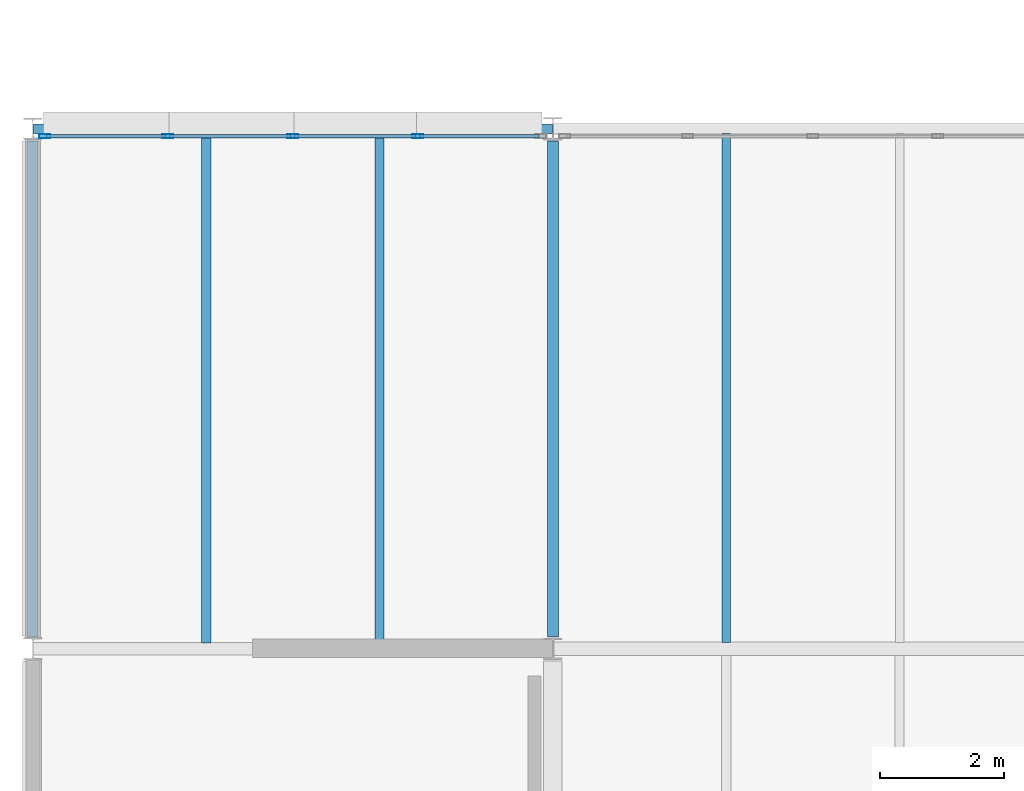
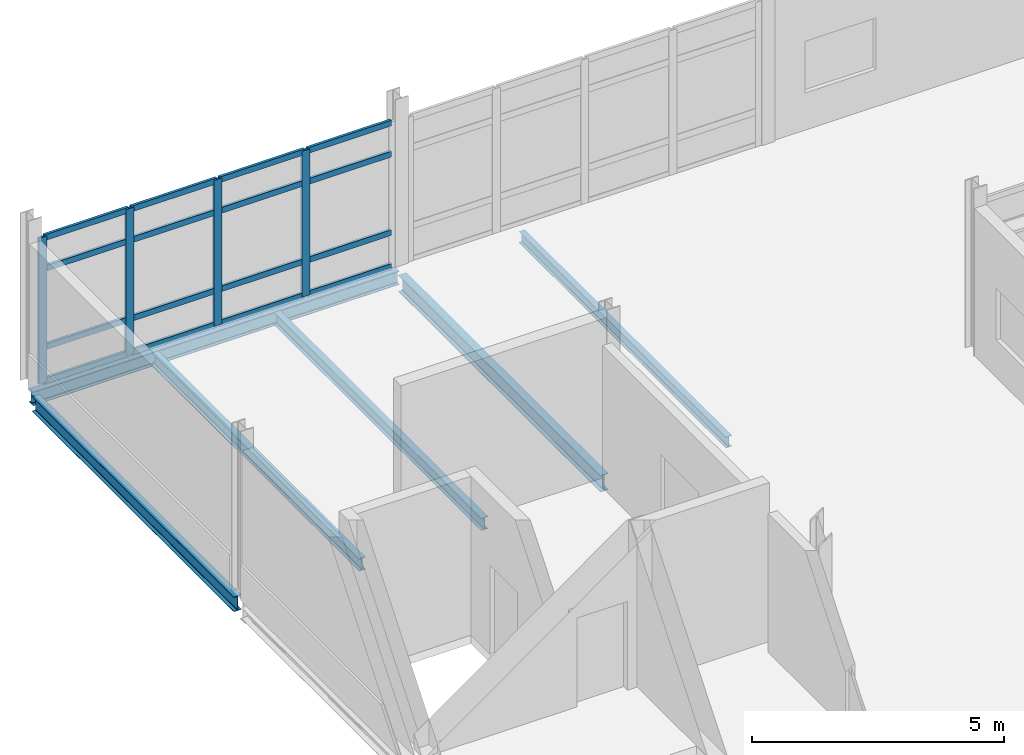
# One storey, part 40 of 131: 20 members, 6 beams, 1 element without a shape of its own.
"""IFC4 building model written with IfcOpenShell, lengths in metres."""

from ifc_helpers import new_model, si_unit, direction, frame, origin, origin_2d, place, context, subcontext, project, spatial, hollow_rectangle, i_section, extrude, material, material_profile, profile_set, type_object, element, aggregate, save


model = new_model("IFC4")

# Units and contexts
model_context = context("Model", 3, precision=1e-05, world=origin(), true_north=direction((0.0, 1.0)))
body_context = subcontext(model_context, "Body", "Model", "MODEL_VIEW")
ifc_project = project(units=[si_unit("LENGTHUNIT", "METRE"), si_unit("AREAUNIT", "SQUARE_METRE"), si_unit("VOLUMEUNIT", "CUBIC_METRE"), si_unit("PLANEANGLEUNIT", "RADIAN"), si_unit("MASSUNIT", "GRAM", prefix="KILO")], contexts=[model_context])

# Site, building, storey
site_placement = place(None, origin())
site = spatial("IfcSite", under=ifc_project, at=site_placement, CompositionType="ELEMENT")
building_placement = place(site_placement, origin())
building = spatial("IfcBuilding", under=site, at=building_placement, Name="Mersafa Astral City Hall", CompositionType="ELEMENT")
storey_placement = place(building_placement, frame((0.0, 0.0, 13.949951171875)))
storey = spatial("IfcBuildingStorey", under=building, at=storey_placement, Name="L03", CompositionType="ELEMENT", Elevation=13.949951171875)

# Curtain wall, members
ifc_material_1 = material(Name="Anodised bronze aluminium framing", Category="aluminium")
curtain_wall_type = type_object("IfcCurtainWallType", Name="ENV-CW-6", PredefinedType="USERDEFINED", material=ifc_material_1)
curtain_wall_placement = place(storey_placement, origin())
curtain_wall = element("IfcCurtainWall", 1, at=curtain_wall_placement, inside=storey, type_object=curtain_wall_type, Name="L03 Unitised solar curtain wall 173", ObjectType="UNITISED CURTAIN WALL", PredefinedType="USERDEFINED")
ifc_material_profile_1 = material_profile(ifc_material_1, hollow_rectangle(XDim=0.06005859375, YDim=0.179931640625, WallThickness=0.00390625, at=origin_2d()), Name="RHS 60x180x4")
ifc_profile_set_1 = profile_set([ifc_material_profile_1], Name="Anodised bronze aluminium framing")
member_type_1 = type_object("IfcMemberType", Name="ENV-CW-MUL-1", PredefinedType="MULLION", material=ifc_profile_set_1)
member_1_placement = place(storey_placement, frame((14.618896484375, 100.679931640625, -0.001953125), z_axis=(0.0, 0.0, 1.0), x_axis=(0.0, -1.0, 0.0)))
member_1 = element("IfcMember", 2, at=member_1_placement, type_object=member_type_1, Name="CW-6 mullion 2", PredefinedType="MULLION", context=body_context, shape_type="SweptSolid", body=[
    extrude(hollow_rectangle(XDim=0.06005859375, YDim=0.179931640625, WallThickness=0.00390625, at=origin_2d()), origin(), (0.0, 0.0, 1.0), 3.533935546875),
])
member_2_placement = place(storey_placement, frame((12.60009765625, 100.679931640625, -0.001953125), z_axis=(0.0, 0.0, 1.0), x_axis=(0.0, -1.0, 0.0)))
member_2 = element("IfcMember", 3, at=member_2_placement, type_object=member_type_1, Name="CW-6 mullion 3", PredefinedType="MULLION", context=body_context, shape_type="SweptSolid", body=[
    extrude(hollow_rectangle(XDim=0.06005859375, YDim=0.179931640625, WallThickness=0.00390625, at=origin_2d()), origin(), (0.0, 0.0, 1.0), 3.533935546875),
])
member_3_placement = place(storey_placement, frame((10.5810546875, 100.679931640625, -0.001953125), z_axis=(0.0, 0.0, 1.0), x_axis=(0.0, -1.0, 0.0)))
member_3 = element("IfcMember", 4, at=member_3_placement, type_object=member_type_1, Name="CW-6 mullion 4", PredefinedType="MULLION", context=body_context, shape_type="SweptSolid", body=[
    extrude(hollow_rectangle(XDim=0.06005859375, YDim=0.179931640625, WallThickness=0.00390625, at=origin_2d()), origin(), (0.0, 0.0, 1.0), 3.533935546875),
])
member_4_placement = place(storey_placement, frame((8.592041015625, 100.679931640625, -0.001953125), z_axis=(0.0, 0.0, 1.0), x_axis=(0.0, -1.0, 0.0)))
member_4 = element("IfcMember", 5, at=member_4_placement, type_object=member_type_1, Name="CW-6 mullion 5", PredefinedType="MULLION", context=body_context, shape_type="SweptSolid", body=[
    extrude(hollow_rectangle(XDim=0.06005859375, YDim=0.179931640625, WallThickness=0.00390625, at=origin_2d()), origin(), (0.0, 0.0, 1.0), 3.533935546875),
])
ifc_material_profile_2 = material_profile(ifc_material_1, hollow_rectangle(XDim=0.06005859375, YDim=0.139892578125, WallThickness=0.00390625, at=origin_2d()), Name="RHS 60x140x4")
ifc_profile_set_2 = profile_set([ifc_material_profile_2], Name="Anodised bronze aluminium framing")
member_type_2 = type_object("IfcMemberType", Name="ENV-CW-TRN-1", PredefinedType="USERDEFINED", material=ifc_profile_set_2)
member_5_placement = place(storey_placement, frame((16.577880859375, 100.679931640625, 0.028076171875), z_axis=(-1.0, 0.0, 0.0), x_axis=(0.0, -1.0, 0.0)))
member_5 = element("IfcMember", 6, at=member_5_placement, type_object=member_type_2, Name="CW-6 transom 1.1", ObjectType="TRANSOM", PredefinedType="USERDEFINED", context=body_context, shape_type="SweptSolid", body=[
    extrude(hollow_rectangle(XDim=0.06005859375, YDim=0.139892578125, WallThickness=0.00390625, at=origin_2d()), origin(), (0.0, 0.0, 1.0), 1.928955078125),
])
member_6_placement = place(storey_placement, frame((16.577880859375, 100.679931640625, 0.85009765625), z_axis=(-1.0, 0.0, 0.0), x_axis=(0.0, -1.0, 0.0)))
member_6 = element("IfcMember", 7, at=member_6_placement, type_object=member_type_2, Name="CW-6 transom 1.2", ObjectType="TRANSOM", PredefinedType="USERDEFINED", context=body_context, shape_type="SweptSolid", body=[
    extrude(hollow_rectangle(XDim=0.06005859375, YDim=0.139892578125, WallThickness=0.00390625, at=origin_2d()), origin(), (0.0, 0.0, 1.0), 1.928955078125),
])
member_7_placement = place(storey_placement, frame((16.577880859375, 100.679931640625, 2.75), z_axis=(-1.0, 0.0, 0.0), x_axis=(0.0, -1.0, 0.0)))
member_7 = element("IfcMember", 8, at=member_7_placement, type_object=member_type_2, Name="CW-6 transom 1.3", ObjectType="TRANSOM", PredefinedType="USERDEFINED", context=body_context, shape_type="SweptSolid", body=[
    extrude(hollow_rectangle(XDim=0.06005859375, YDim=0.139892578125, WallThickness=0.00390625, at=origin_2d()), origin(), (0.0, 0.0, 1.0), 1.928955078125),
])
member_8_placement = place(storey_placement, frame((16.577880859375, 100.679931640625, 3.501953125), z_axis=(-1.0, 0.0, 0.0), x_axis=(0.0, -1.0, 0.0)))
member_8 = element("IfcMember", 9, at=member_8_placement, type_object=member_type_2, Name="CW-6 transom 1.4", ObjectType="TRANSOM", PredefinedType="USERDEFINED", context=body_context, shape_type="SweptSolid", body=[
    extrude(hollow_rectangle(XDim=0.06005859375, YDim=0.139892578125, WallThickness=0.00390625, at=origin_2d()), origin(), (0.0, 0.0, 1.0), 1.928955078125),
])
member_9_placement = place(storey_placement, frame((14.589111328125, 100.679931640625, 0.028076171875), z_axis=(-1.0, 0.0, 0.0), x_axis=(0.0, -1.0, 0.0)))
member_9 = element("IfcMember", 10, at=member_9_placement, type_object=member_type_2, Name="CW-6 transom 2.1", ObjectType="TRANSOM", PredefinedType="USERDEFINED", context=body_context, shape_type="SweptSolid", body=[
    extrude(hollow_rectangle(XDim=0.06005859375, YDim=0.139892578125, WallThickness=0.00390625, at=origin_2d()), origin(), (0.0, 0.0, 1.0), 1.959228515625),
])
member_10_placement = place(storey_placement, frame((14.589111328125, 100.679931640625, 0.85009765625), z_axis=(-1.0, 0.0, 0.0), x_axis=(0.0, -1.0, 0.0)))
member_10 = element("IfcMember", 11, at=member_10_placement, type_object=member_type_2, Name="CW-6 transom 2.2", ObjectType="TRANSOM", PredefinedType="USERDEFINED", context=body_context, shape_type="SweptSolid", body=[
    extrude(hollow_rectangle(XDim=0.06005859375, YDim=0.139892578125, WallThickness=0.00390625, at=origin_2d()), origin(), (0.0, 0.0, 1.0), 1.959228515625),
])
member_11_placement = place(storey_placement, frame((14.589111328125, 100.679931640625, 2.75), z_axis=(-1.0, 0.0, 0.0), x_axis=(0.0, -1.0, 0.0)))
member_11 = element("IfcMember", 12, at=member_11_placement, type_object=member_type_2, Name="CW-6 transom 2.3", ObjectType="TRANSOM", PredefinedType="USERDEFINED", context=body_context, shape_type="SweptSolid", body=[
    extrude(hollow_rectangle(XDim=0.06005859375, YDim=0.139892578125, WallThickness=0.00390625, at=origin_2d()), origin(), (0.0, 0.0, 1.0), 1.959228515625),
])
member_12_placement = place(storey_placement, frame((14.589111328125, 100.679931640625, 3.501953125), z_axis=(-1.0, 0.0, 0.0), x_axis=(0.0, -1.0, 0.0)))
member_12 = element("IfcMember", 13, at=member_12_placement, type_object=member_type_2, Name="CW-6 transom 2.4", ObjectType="TRANSOM", PredefinedType="USERDEFINED", context=body_context, shape_type="SweptSolid", body=[
    extrude(hollow_rectangle(XDim=0.06005859375, YDim=0.139892578125, WallThickness=0.00390625, at=origin_2d()), origin(), (0.0, 0.0, 1.0), 1.959228515625),
])
member_13_placement = place(storey_placement, frame((12.570068359375, 100.679931640625, 0.028076171875), z_axis=(-1.0, 0.0, 0.0), x_axis=(0.0, -1.0, 0.0)))
member_13 = element("IfcMember", 14, at=member_13_placement, type_object=member_type_2, Name="CW-6 transom 3.1", ObjectType="TRANSOM", PredefinedType="USERDEFINED", context=body_context, shape_type="SweptSolid", body=[
    extrude(hollow_rectangle(XDim=0.06005859375, YDim=0.139892578125, WallThickness=0.00390625, at=origin_2d()), origin(), (0.0, 0.0, 1.0), 1.958984375),
])
member_14_placement = place(storey_placement, frame((12.570068359375, 100.679931640625, 0.85009765625), z_axis=(-1.0, 0.0, 0.0), x_axis=(0.0, -1.0, 0.0)))
member_14 = element("IfcMember", 15, at=member_14_placement, type_object=member_type_2, Name="CW-6 transom 3.2", ObjectType="TRANSOM", PredefinedType="USERDEFINED", context=body_context, shape_type="SweptSolid", body=[
    extrude(hollow_rectangle(XDim=0.06005859375, YDim=0.139892578125, WallThickness=0.00390625, at=origin_2d()), origin(), (0.0, 0.0, 1.0), 1.958984375),
])
member_15_placement = place(storey_placement, frame((12.570068359375, 100.679931640625, 2.75), z_axis=(-1.0, 0.0, 0.0), x_axis=(0.0, -1.0, 0.0)))
member_15 = element("IfcMember", 16, at=member_15_placement, type_object=member_type_2, Name="CW-6 transom 3.3", ObjectType="TRANSOM", PredefinedType="USERDEFINED", context=body_context, shape_type="SweptSolid", body=[
    extrude(hollow_rectangle(XDim=0.06005859375, YDim=0.139892578125, WallThickness=0.00390625, at=origin_2d()), origin(), (0.0, 0.0, 1.0), 1.958984375),
])
member_16_placement = place(storey_placement, frame((12.570068359375, 100.679931640625, 3.501953125), z_axis=(-1.0, 0.0, 0.0), x_axis=(0.0, -1.0, 0.0)))
member_16 = element("IfcMember", 17, at=member_16_placement, type_object=member_type_2, Name="CW-6 transom 3.4", ObjectType="TRANSOM", PredefinedType="USERDEFINED", context=body_context, shape_type="SweptSolid", body=[
    extrude(hollow_rectangle(XDim=0.06005859375, YDim=0.139892578125, WallThickness=0.00390625, at=origin_2d()), origin(), (0.0, 0.0, 1.0), 1.958984375),
])
member_17_placement = place(storey_placement, frame((10.551025390625, 100.679931640625, 0.028076171875), z_axis=(-1.0, 0.0, 0.0), x_axis=(0.0, -1.0, 0.0)))
member_17 = element("IfcMember", 18, at=member_17_placement, type_object=member_type_2, Name="CW-6 transom 4.1", ObjectType="TRANSOM", PredefinedType="USERDEFINED", context=body_context, shape_type="SweptSolid", body=[
    extrude(hollow_rectangle(XDim=0.06005859375, YDim=0.139892578125, WallThickness=0.00390625, at=origin_2d()), origin(), (0.0, 0.0, 1.0), 1.928955078125),
])
member_18_placement = place(storey_placement, frame((10.551025390625, 100.679931640625, 0.85009765625), z_axis=(-1.0, 0.0, 0.0), x_axis=(0.0, -1.0, 0.0)))
member_18 = element("IfcMember", 19, at=member_18_placement, type_object=member_type_2, Name="CW-6 transom 4.2", ObjectType="TRANSOM", PredefinedType="USERDEFINED", context=body_context, shape_type="SweptSolid", body=[
    extrude(hollow_rectangle(XDim=0.06005859375, YDim=0.139892578125, WallThickness=0.00390625, at=origin_2d()), origin(), (0.0, 0.0, 1.0), 1.928955078125),
])
member_19_placement = place(storey_placement, frame((10.551025390625, 100.679931640625, 2.75), z_axis=(-1.0, 0.0, 0.0), x_axis=(0.0, -1.0, 0.0)))
member_19 = element("IfcMember", 20, at=member_19_placement, type_object=member_type_2, Name="CW-6 transom 4.3", ObjectType="TRANSOM", PredefinedType="USERDEFINED", context=body_context, shape_type="SweptSolid", body=[
    extrude(hollow_rectangle(XDim=0.06005859375, YDim=0.139892578125, WallThickness=0.00390625, at=origin_2d()), origin(), (0.0, 0.0, 1.0), 1.928955078125),
])
member_20_placement = place(storey_placement, frame((10.551025390625, 100.679931640625, 3.501953125), z_axis=(-1.0, 0.0, 0.0), x_axis=(0.0, -1.0, 0.0)))
member_20 = element("IfcMember", 21, at=member_20_placement, type_object=member_type_2, Name="CW-6 transom 4.4", ObjectType="TRANSOM", PredefinedType="USERDEFINED", context=body_context, shape_type="SweptSolid", body=[
    extrude(hollow_rectangle(XDim=0.06005859375, YDim=0.139892578125, WallThickness=0.00390625, at=origin_2d()), origin(), (0.0, 0.0, 1.0), 1.928955078125),
])
aggregate(curtain_wall, [member_1, member_2, member_3, member_4, member_5, member_6, member_7, member_8, member_9, member_10, member_11, member_12, member_13, member_14, member_15, member_16, member_17, member_18, member_19, member_20])

# Beams
ifc_material_2 = material(Name="Steel S355", Category="steel")
ifc_material_profile_3 = material_profile(ifc_material_2, i_section(OverallWidth=0.179931640625, OverallDepth=0.39990234375, WebThickness=0.008544921875, FlangeThickness=0.013427734375, FilletRadius=0.02099609375, at=origin_2d()), Name="IPE 400")
ifc_profile_set_3 = profile_set([ifc_material_profile_3], Name="Steel S355")
beam_type_1 = type_object("IfcBeamType", Name="STR-BM-IPE400", PredefinedType="BEAM", material=ifc_profile_set_3)
beam_1_placement = place(storey_placement, frame((16.800048828125, 92.594970703125, -0.39990234375), z_axis=(0.0, 1.0, 0.0), x_axis=(-1.0, 0.0, 0.0)))
element("IfcBeam", 22, at=beam_1_placement, inside=storey, type_object=beam_type_1, Name="L03 Primary girder Y 2-11", PredefinedType="BEAM", context=body_context, shape_type="SweptSolid", body=[
    extrude(i_section(OverallWidth=0.179931640625, OverallDepth=0.39990234375, WebThickness=0.008544921875, FlangeThickness=0.013427734375, FilletRadius=0.02099609375, at=origin_2d()), origin(), (0.0, 0.0, 1.0), 8.010009765625),
])
ifc_material_profile_4 = material_profile(ifc_material_2, i_section(OverallWidth=0.135009765625, OverallDepth=0.27001953125, WebThickness=0.006591796875, FlangeThickness=0.01025390625, FilletRadius=0.014892578125, at=origin_2d()), Name="IPE 270")
ifc_profile_set_4 = profile_set([ifc_material_profile_4], Name="Steel S355")
beam_type_2 = type_object("IfcBeamType", Name="STR-BM-JOIST-IPE270", PredefinedType="JOIST", material=ifc_profile_set_4)
beam_2_placement = place(storey_placement, frame((19.60009765625, 92.5048828125, -0.3349609375), z_axis=(0.0, 1.0, 0.0), x_axis=(-1.0, 0.0, 0.0)))
element("IfcBeam", 23, at=beam_2_placement, inside=storey, type_object=beam_type_2, Name="L03 Composite secondary floor joist 560", PredefinedType="JOIST", context=body_context, shape_type="SweptSolid", body=[
    extrude(i_section(OverallWidth=0.135009765625, OverallDepth=0.27001953125, WebThickness=0.006591796875, FlangeThickness=0.01025390625, FilletRadius=0.014892578125, at=origin_2d()), origin(), (0.0, 0.0, 1.0), 8.215087890625),
])
ifc_material_profile_5 = material_profile(ifc_material_2, i_section(OverallWidth=0.14990234375, OverallDepth=0.300048828125, WebThickness=0.007080078125, FlangeThickness=0.0107421875, FilletRadius=0.014892578125, at=origin_2d()), Name="IPE 300")
ifc_profile_set_5 = profile_set([ifc_material_profile_5], Name="Steel S355")
beam_type_3 = type_object("IfcBeamType", Name="STR-BM-JOIST-IPE300", PredefinedType="JOIST", material=ifc_profile_set_5)
for number, where, z_axis, x_axis, name in (
    (24, (11.199951171875, 92.4951171875, -0.349853515625), (0.0, 1.0, 0.0), (-1.0, 0.0, 0.0), "L03 Composite secondary floor joist 554"),
    (25, (14.0, 92.4951171875, -0.349853515625), (0.0, 1.0, 0.0), (-1.0, 0.0, 0.0), "L03 Composite secondary floor joist 555"),
):
    element("IfcBeam", number, at=place(storey_placement, frame(where, z_axis=z_axis, x_axis=x_axis)), inside=storey, type_object=beam_type_3, Name=name, PredefinedType="JOIST", context=body_context, shape_type="SweptSolid", body=[
        extrude(i_section(OverallWidth=0.14990234375, OverallDepth=0.300048828125, WebThickness=0.007080078125, FlangeThickness=0.0107421875, FilletRadius=0.014892578125, at=origin_2d()), origin(), (0.0, 0.0, 1.0), 8.22998046875),
    ])
ifc_material_profile_6 = material_profile(ifc_material_2, i_section(OverallWidth=0.159912109375, OverallDepth=0.330078125, WebThickness=0.007568359375, FlangeThickness=0.011474609375, FilletRadius=0.01806640625, at=origin_2d()), Name="IPE 330")
ifc_profile_set_6 = profile_set([ifc_material_profile_6], Name="Steel S355")
beam_type_4 = type_object("IfcBeamType", Name="STR-BM-SPANDREL-IPE330", PredefinedType="SPANDREL", material=ifc_profile_set_6)
beam_3_placement = place(storey_placement, frame((8.403076171875, 100.800048828125, -0.364990234375), z_axis=(1.0, 0.0, 0.0), x_axis=(0.0, 1.0, 0.0)))
element("IfcBeam", 26, at=beam_3_placement, inside=storey, type_object=beam_type_4, Name="L03 Primary girder X 1-12", PredefinedType="SPANDREL", context=body_context, shape_type="SweptSolid", body=[
    extrude(i_section(OverallWidth=0.159912109375, OverallDepth=0.330078125, WebThickness=0.007568359375, FlangeThickness=0.011474609375, FilletRadius=0.01806640625, at=origin_2d()), origin(), (0.0, 0.0, 1.0), 8.39404296875),
])
ifc_material_profile_7 = material_profile(ifc_material_2, i_section(OverallWidth=0.169921875, OverallDepth=0.360107421875, WebThickness=0.008056640625, FlangeThickness=0.0126953125, FilletRadius=0.01806640625, at=origin_2d()), Name="IPE 360")
ifc_profile_set_7 = profile_set([ifc_material_profile_7], Name="Steel S355")
beam_type_5 = type_object("IfcBeamType", Name="STR-BM-SPANDREL-IPE360", PredefinedType="SPANDREL", material=ifc_profile_set_7)
beam_4_placement = place(storey_placement, frame((8.39990234375, 92.594970703125, -0.3798828125), z_axis=(0.0, 1.0, 0.0), x_axis=(-1.0, 0.0, 0.0)))
element("IfcBeam", 27, at=beam_4_placement, inside=storey, type_object=beam_type_5, Name="L03 Primary girder Y 1-11", PredefinedType="SPANDREL", context=body_context, shape_type="SweptSolid", body=[
    extrude(i_section(OverallWidth=0.169921875, OverallDepth=0.360107421875, WebThickness=0.008056640625, FlangeThickness=0.0126953125, FilletRadius=0.01806640625, at=origin_2d()), origin(), (0.0, 0.0, 1.0), 8.010009765625),
])

save(model, "model.ifc")
